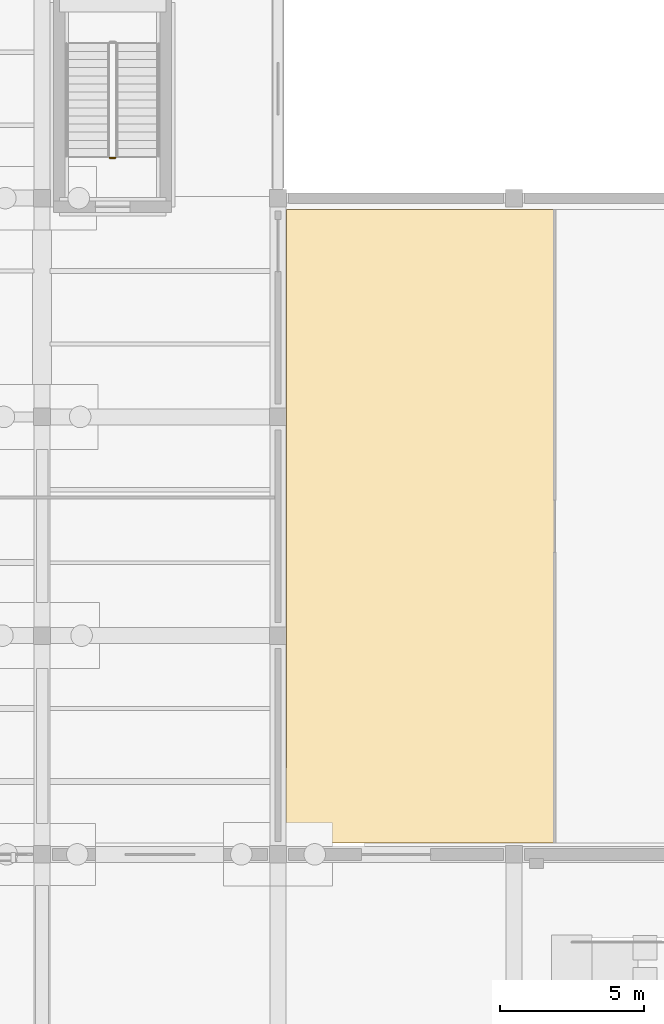
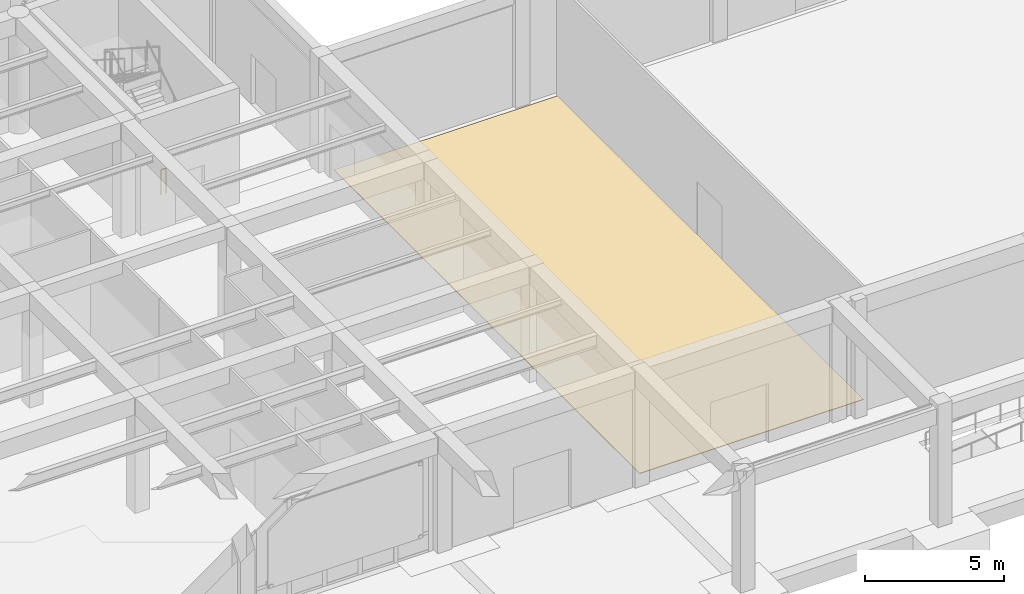
# One storey, part 54 of 64: 1 covering, 1 railing.
"""IFC4 building model written with IfcOpenShell, lengths in metres."""

from ifc_helpers import new_model, si_unit, direction, frame, origin, origin_2d, place, context, subcontext, project, spatial, polyline, circle, outline, extrude, material, layer, layer_set, type_object, element, save


model = new_model("IFC4")

# Units and contexts
model_context = context("Model", 3, precision=1e-05, world=origin(), true_north=direction((0.0, 1.0)))
body_context = subcontext(model_context, "Body", "Model", "MODEL_VIEW")
ifc_project = project(units=[si_unit("LENGTHUNIT", "METRE"), si_unit("AREAUNIT", "SQUARE_METRE"), si_unit("VOLUMEUNIT", "CUBIC_METRE"), si_unit("PLANEANGLEUNIT", "RADIAN"), si_unit("MASSUNIT", "GRAM", prefix="KILO")], contexts=[model_context])

# Site, building, storey
site_placement = place(None, origin())
site = spatial("IfcSite", under=ifc_project, at=site_placement, CompositionType="ELEMENT")
building_placement = place(site_placement, origin())
building = spatial("IfcBuilding", under=site, at=building_placement, Name="Qandaris Square Conservatory and Botanical Centre", CompositionType="ELEMENT")
storey_placement = place(building_placement, origin())
storey = spatial("IfcBuildingStorey", under=building, at=storey_placement, Name="L00", CompositionType="ELEMENT", Elevation=0.0)

# Covering
ifc_material_1 = material(Name="Honed Qatari Limestone", Category="masonry")
ifc_layer = layer(ifc_material_1, 0.030029296875)
ifc_layer_set = layer_set([ifc_layer], Name="Honed Qatari Limestone")
covering_type = type_object("IfcCoveringType", Name="Honed Qatari Limestone Concourse Paving", PredefinedType="FLOORING", material=ifc_layer_set)
covering_placement = place(storey_placement, origin())
element("IfcCovering", 1, at=covering_placement, inside=storey, type_object=covering_type, Name="Auditorium Grand Foyer Flooring", PredefinedType="FLOORING", context=body_context, shape_type="SweptSolid", body=[
    extrude(outline(polyline([(57.5, 39.0), (66.800048828125, 39.0), (66.800048828125, 17.0), (57.5, 17.0), (57.5, 39.0)])), origin(), (0.0, 0.0, 1.0), 0.030029296875),
])

# Railing
ifc_material_2 = material(Name="Stainless Steel", Category="steel")
railing_type = type_object("IfcRailingType", Name="Stairwell & Atrium Guardrail 1120mm", PredefinedType="GUARDRAIL", material=ifc_material_2)
railing_placement = place(storey_placement, frame((51.550048828125, 40.800048828125, 0.0)))
element("IfcRailing", 2, at=railing_placement, inside=storey, type_object=railing_type, Name="L00 ST-4 stair guard 4", PredefinedType="GUARDRAIL", context=body_context, shape_type="SweptSolid", body=[
    extrude(circle(Radius=0.02392578125, at=origin_2d()), frame((0.0, 0.0, 1.09619140625), z_axis=(-1.0, 0.0, 0.0), x_axis=(0.0, -1.0, 0.0)), (0.0, 0.0, 1.0), 0.199951171875),
    extrude(circle(Radius=0.02099609375, at=origin_2d()), origin(), (0.0, 0.0, 1.0), 1.072021484375),
    extrude(circle(Radius=0.02099609375, at=origin_2d()), frame((-0.199951171875, 0.0, 0.0)), (0.0, 0.0, 1.0), 1.072021484375),
])

save(model, "model.ifc")
